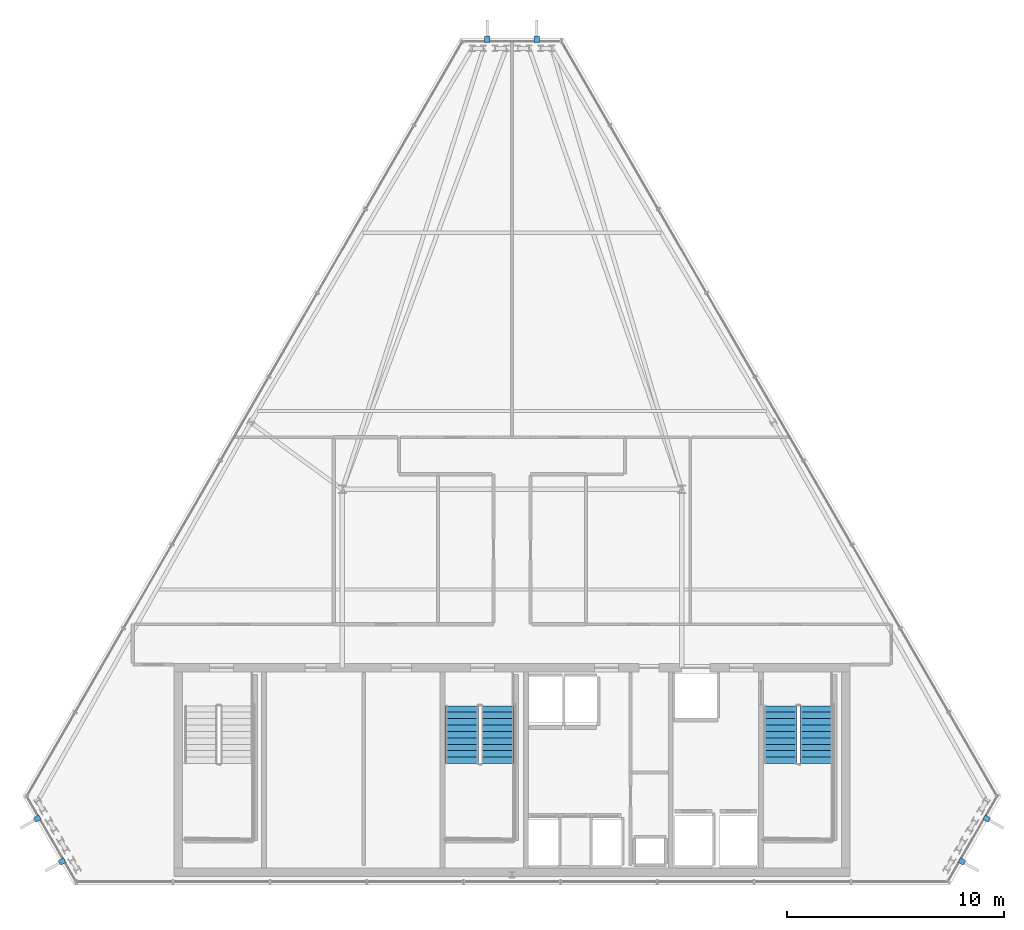
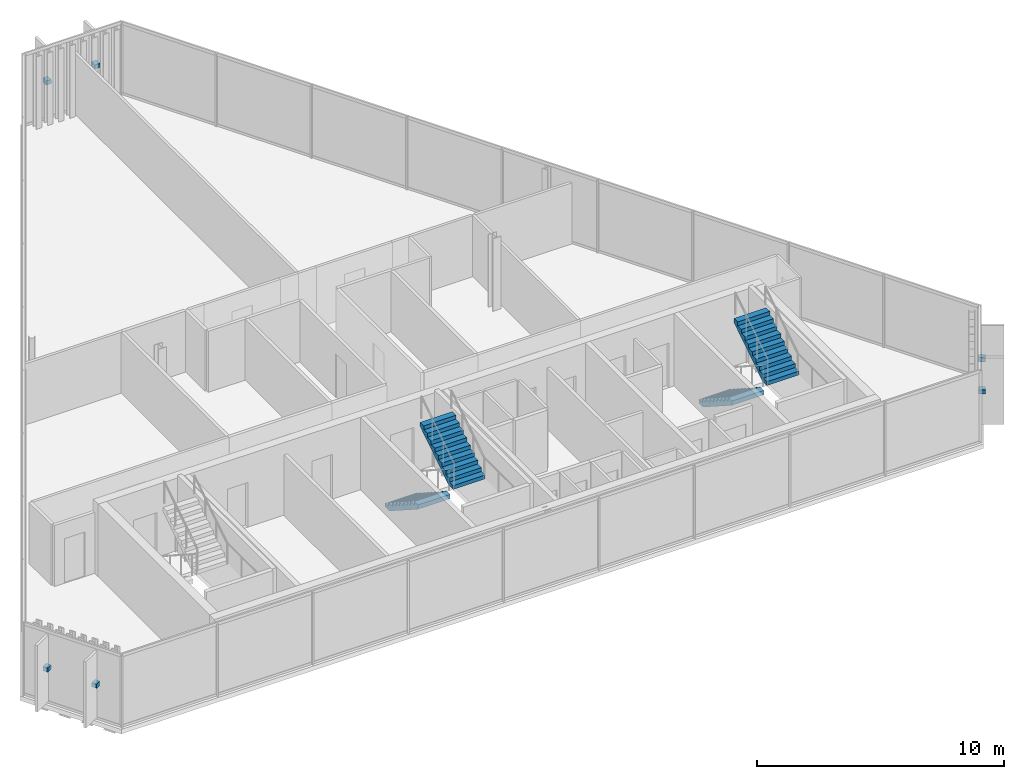
# One storey, part 29 of 32: 6 discrete accessories, 4 stair flights, 2 elements without a shape of their own.
"""IFC4 building model written with IfcOpenShell, lengths in metres."""

from ifc_helpers import new_model, si_unit, direction, frame, origin, origin_2d, place, context, subcontext, project, spatial, polyline, rectangle, outline, extrude, material, type_object, element, aggregate, save


model = new_model("IFC4")

# Units and contexts
model_context = context("Model", 3, precision=1e-05, world=origin(), true_north=direction((0.0, 1.0)))
body_context = subcontext(model_context, "Body", "Model", "MODEL_VIEW")
ifc_project = project(units=[si_unit("LENGTHUNIT", "METRE"), si_unit("AREAUNIT", "SQUARE_METRE"), si_unit("VOLUMEUNIT", "CUBIC_METRE"), si_unit("PLANEANGLEUNIT", "RADIAN"), si_unit("MASSUNIT", "GRAM", prefix="KILO")], contexts=[model_context])

# Site, building, storey
site_placement = place(None, origin())
site = spatial("IfcSite", under=ifc_project, at=site_placement, CompositionType="ELEMENT")
building_placement = place(site_placement, origin())
building = spatial("IfcBuilding", under=site, at=building_placement, Name="Ndaravel Arena Tower", CompositionType="ELEMENT")
storey_placement = place(building_placement, frame((0.0, 0.0, 287.10009765625)))
storey = spatial("IfcBuildingStorey", under=building, at=storey_placement, Name="L70", CompositionType="ELEMENT", Elevation=287.10009765625)

# Stair, stair flights
ifc_material_1 = material(Name="Concrete C40/50", Category="concrete")
stair_type = type_object("IfcStairType", Name="STAIR-CORE-HT", PredefinedType="HALF_TURN_STAIR", material=ifc_material_1)
stair_1_placement = place(storey_placement, origin())
stair_1 = element("IfcStair", 1, at=stair_1_placement, inside=storey, type_object=stair_type, Name="L70 ST-2", PredefinedType="HALF_TURN_STAIR")
ifc_material_2 = material(Name="Concrete C40/50", Category="concrete")
stair_flight_type = type_object("IfcStairFlightType", Name="SFLIGHT-CORE-1680", PredefinedType="STRAIGHT", material=ifc_material_2)
stair_flight_1_placement = place(storey_placement, frame((39.699951171875, 13.25, 0.0), z_axis=(0.0, 0.0, 1.0), x_axis=(0.0, -1.0, 0.0)))
stair_flight_1 = element("IfcStairFlight", 2, at=stair_flight_1_placement, type_object=stair_flight_type, Name="ST-2 flight 1", NumberOfRisers=10, NumberOfTreads=9, PredefinedType="STRAIGHT", RiserHeight=0.19, TreadLength=0.295, context=body_context, shape_type="SweptSolid", body=[
    extrude(outline(polyline([(0.0, 0.0), (0.0, 0.18994140625), (0.294921875, 0.18994140625), (0.294921875, 0.3798828125), (0.590087890625, 0.3798828125), (0.590087890625, 0.570068359375), (0.885009765625, 0.570068359375), (0.885009765625, 0.760009765625), (1.179931640625, 0.760009765625), (1.179931640625, 0.949951171875), (1.47509765625, 0.949951171875), (1.47509765625, 1.139892578125), (1.77001953125, 1.139892578125), (1.77001953125, 1.330078125), (2.06494140625, 1.330078125), (2.06494140625, 1.52001953125), (2.360107421875, 1.52001953125), (2.360107421875, 1.7099609375), (2.655029296875, 1.7099609375), (2.655029296875, 1.89990234375), (2.655029296875, 1.49609375), (0.332275390625, 0.0), (0.0, 0.0)])), frame((0.0, 0.75, 0.0), z_axis=(0.0, -1.0, 0.0), x_axis=(1.0, 0.0, 0.0)), (0.0, 0.0, 1.0), 1.5),
])
stair_flight_2_placement = place(storey_placement, frame((41.340087890625, 10.594970703125, 1.89990234375), z_axis=(0.0, 0.0, 1.0), x_axis=(0.0, 1.0, 0.0)))
stair_flight_2 = element("IfcStairFlight", 3, at=stair_flight_2_placement, type_object=stair_flight_type, Name="ST-2 flight 2", NumberOfRisers=10, NumberOfTreads=9, PredefinedType="STRAIGHT", RiserHeight=0.19, TreadLength=0.295, context=body_context, shape_type="SweptSolid", body=[
    extrude(outline(polyline([(0.0, 0.0), (0.0, 0.18994140625), (0.294921875, 0.18994140625), (0.294921875, 0.3798828125), (0.590087890625, 0.3798828125), (0.590087890625, 0.570068359375), (0.885009765625, 0.570068359375), (0.885009765625, 0.760009765625), (1.179931640625, 0.760009765625), (1.179931640625, 0.949951171875), (1.47509765625, 0.949951171875), (1.47509765625, 1.139892578125), (1.77001953125, 1.139892578125), (1.77001953125, 1.330078125), (2.06494140625, 1.330078125), (2.06494140625, 1.52001953125), (2.360107421875, 1.52001953125), (2.360107421875, 1.7099609375), (2.655029296875, 1.7099609375), (2.655029296875, 1.89990234375), (2.655029296875, 1.49609375), (0.332275390625, 0.0), (0.0, 0.0)])), frame((0.0, 0.75, 0.0), z_axis=(0.0, -1.0, 0.0), x_axis=(1.0, 0.0, 0.0)), (0.0, 0.0, 1.0), 1.5),
])
aggregate(stair_1, [stair_flight_1, stair_flight_2])

stair_2_placement = place(storey_placement, origin())
stair_2 = element("IfcStair", 4, at=stair_2_placement, inside=storey, type_object=stair_type, Name="L70 ST-3", PredefinedType="HALF_TURN_STAIR")
stair_flight_3_placement = place(storey_placement, frame((54.35009765625, 13.25, 0.0), z_axis=(0.0, 0.0, 1.0), x_axis=(0.0, -1.0, 0.0)))
stair_flight_3 = element("IfcStairFlight", 5, at=stair_flight_3_placement, type_object=stair_flight_type, Name="ST-3 flight 1", NumberOfRisers=10, NumberOfTreads=9, PredefinedType="STRAIGHT", RiserHeight=0.19, TreadLength=0.295, context=body_context, shape_type="SweptSolid", body=[
    extrude(outline(polyline([(0.0, 0.0), (0.0, 0.18994140625), (0.294921875, 0.18994140625), (0.294921875, 0.3798828125), (0.590087890625, 0.3798828125), (0.590087890625, 0.570068359375), (0.885009765625, 0.570068359375), (0.885009765625, 0.760009765625), (1.179931640625, 0.760009765625), (1.179931640625, 0.949951171875), (1.47509765625, 0.949951171875), (1.47509765625, 1.139892578125), (1.77001953125, 1.139892578125), (1.77001953125, 1.330078125), (2.06494140625, 1.330078125), (2.06494140625, 1.52001953125), (2.360107421875, 1.52001953125), (2.360107421875, 1.7099609375), (2.655029296875, 1.7099609375), (2.655029296875, 1.89990234375), (2.655029296875, 1.49609375), (0.332275390625, 0.0), (0.0, 0.0)])), frame((0.0, 0.75, 0.0), z_axis=(0.0, -1.0, 0.0), x_axis=(1.0, 0.0, 0.0)), (0.0, 0.0, 1.0), 1.5),
])
stair_flight_4_placement = place(storey_placement, frame((55.989990234375, 10.594970703125, 1.89990234375), z_axis=(0.0, 0.0, 1.0), x_axis=(0.0, 1.0, 0.0)))
stair_flight_4 = element("IfcStairFlight", 6, at=stair_flight_4_placement, type_object=stair_flight_type, Name="ST-3 flight 2", NumberOfRisers=10, NumberOfTreads=9, PredefinedType="STRAIGHT", RiserHeight=0.19, TreadLength=0.295, context=body_context, shape_type="SweptSolid", body=[
    extrude(outline(polyline([(0.0, 0.0), (0.0, 0.18994140625), (0.294921875, 0.18994140625), (0.294921875, 0.3798828125), (0.590087890625, 0.3798828125), (0.590087890625, 0.570068359375), (0.885009765625, 0.570068359375), (0.885009765625, 0.760009765625), (1.179931640625, 0.760009765625), (1.179931640625, 0.949951171875), (1.47509765625, 0.949951171875), (1.47509765625, 1.139892578125), (1.77001953125, 1.139892578125), (1.77001953125, 1.330078125), (2.06494140625, 1.330078125), (2.06494140625, 1.52001953125), (2.360107421875, 1.52001953125), (2.360107421875, 1.7099609375), (2.655029296875, 1.7099609375), (2.655029296875, 1.89990234375), (2.655029296875, 1.49609375), (0.332275390625, 0.0), (0.0, 0.0)])), frame((0.0, 0.75, 0.0), z_axis=(0.0, -1.0, 0.0), x_axis=(1.0, 0.0, 0.0)), (0.0, 0.0, 1.0), 1.5),
])
aggregate(stair_2, [stair_flight_3, stair_flight_4])

# Discrete accessories
ifc_material_3 = material(Name="Steel S355", Category="steel")
discrete_accessory_type = type_object("IfcDiscreteAccessoryType", Name="ACC-BRACKET-FIN", PredefinedType="BRACKET", material=ifc_material_3)
for number, where, z_axis, x_axis, name in (
    (7, (62.689697265625, 6.093994140625, 1.68994140625), (0.0, 0.0, 1.0), (0.866025403784, -0.5, 0.0), "L70 Mazeras Stone Solar Fin E2.1 Bracket"),
    (8, (63.825927734375, 8.06201171875, 1.68994140625), (0.0, 0.0, 1.0), (0.866025403784, -0.5, 0.0), "L70 Mazeras Stone Solar Fin E2.2 Bracket"),
    (9, (43.13623046875, 43.897705078125, 1.68994140625), (0.0, 0.0, 1.0), (0.0, 1.0, 0.0), "L70 Mazeras Stone Solar Fin E4.1 Bracket"),
    (10, (40.86376953125, 43.897705078125, 1.68994140625), (0.0, 0.0, 1.0), (0.0, 1.0, 0.0), "L70 Mazeras Stone Solar Fin E4.2 Bracket"),
    (11, (20.174072265625, 8.06201171875, 1.68994140625), (0.0, 0.0, 1.0), (-0.866025403784, -0.5, 0.0), "L70 Mazeras Stone Solar Fin E6.1 Bracket"),
    (12, (21.310302734375, 6.093994140625, 1.68994140625), (0.0, 0.0, 1.0), (-0.866025403784, -0.5, 0.0), "L70 Mazeras Stone Solar Fin E6.2 Bracket"),
):
    element("IfcDiscreteAccessory", number, at=place(storey_placement, frame(where, z_axis=z_axis, x_axis=x_axis)), inside=storey, type_object=discrete_accessory_type, Name=name, PredefinedType="BRACKET", context=body_context, shape_type="SweptSolid", body=[
        extrude(rectangle(XDim=0.280029296875, YDim=0.239990234375, at=origin_2d()), origin(), (0.0, 0.0, 1.0), 0.199951171875),
    ])

save(model, "model.ifc")
